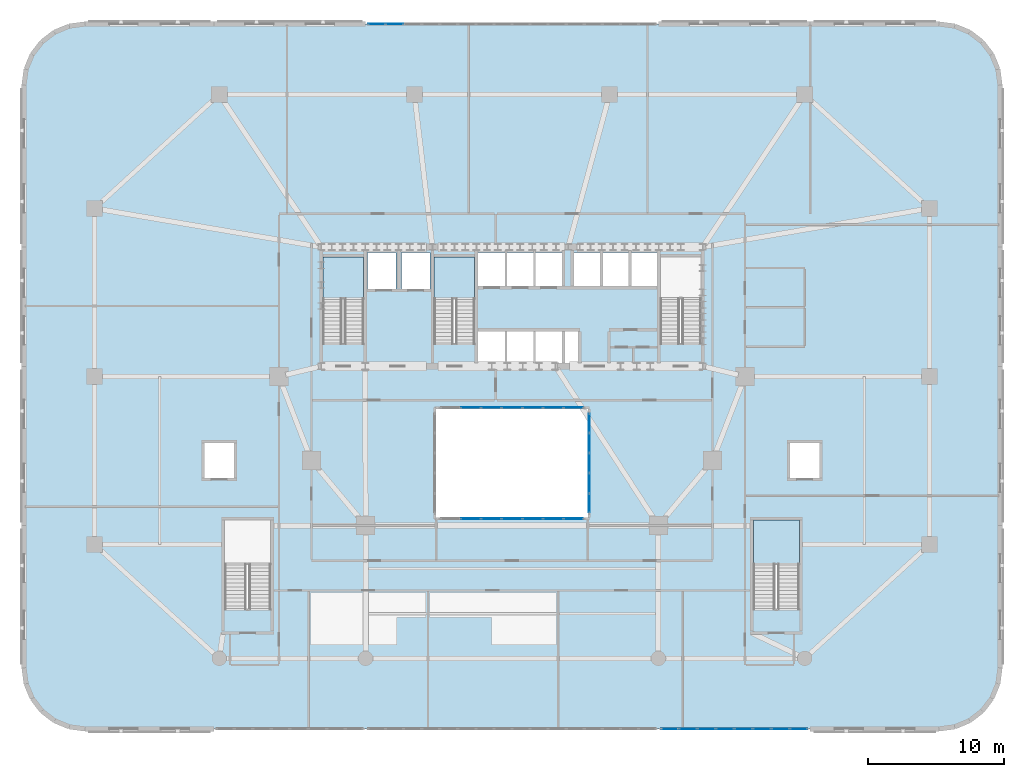
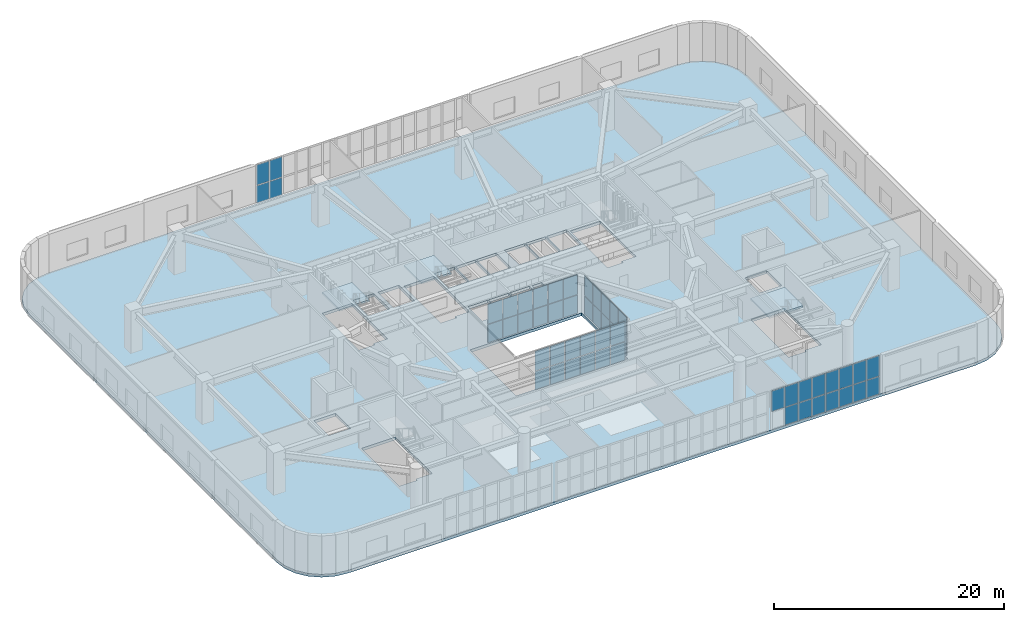
# One storey, part 12 of 25: 53 plates, 4 slabs, 8 elements without a shape of their own.
"""IFC4 building model written with IfcOpenShell, lengths in metres."""

from ifc_helpers import new_model, si_unit, direction, frame, origin, origin_2d, place, context, subcontext, project, spatial, polyline, rectangle, outline, extrude, material, layer, layer_set, type_object, element, aggregate, save


model = new_model("IFC4")

# Units and contexts
model_context = context("Model", 3, precision=1e-05, world=origin(), true_north=direction((0.0, 1.0)))
body_context = subcontext(model_context, "Body", "Model", "MODEL_VIEW")
ifc_project = project(units=[si_unit("LENGTHUNIT", "METRE"), si_unit("AREAUNIT", "SQUARE_METRE"), si_unit("VOLUMEUNIT", "CUBIC_METRE"), si_unit("PLANEANGLEUNIT", "RADIAN"), si_unit("MASSUNIT", "GRAM", prefix="KILO")], contexts=[model_context])

# Site, building, storey
site_placement = place(None, origin())
site = spatial("IfcSite", under=ifc_project, at=site_placement, CompositionType="ELEMENT")
building_placement = place(site_placement, origin())
building = spatial("IfcBuilding", under=site, at=building_placement, Name="Haldorwick Loom Tower", CompositionType="ELEMENT")
storey_placement = place(building_placement, frame((0.0, 0.0, 15.0)))
storey = spatial("IfcBuildingStorey", under=building, at=storey_placement, Name="L03", CompositionType="ELEMENT", Elevation=15.0)

# Curtain wall, plates
ifc_material_1 = material(Name="Thermally Broken Anodized Aluminium Curtain Wall Framing", Category="aluminium")
curtain_wall_type_1 = type_object("IfcCurtainWallType", Name="ARC-CW-02", PredefinedType="NOTDEFINED", material=ifc_material_1)
curtain_wall_1_placement = place(storey_placement, origin())
curtain_wall_1 = element("IfcCurtainWall", 1, at=curtain_wall_1_placement, inside=storey, type_object=curtain_wall_type_1, Name="L03 Facade Curtain Wall CW-02 Bay 19", PredefinedType="NOTDEFINED")
ifc_material_2 = material(Name="Triple-Glazed Low-E Argon Insulated Glazing Unit", Category="glass")
ifc_layer_1 = layer(ifc_material_2, 0.0400390625, Name="Triple-Glazed Low-E Argon Insulated Glazing Unit", Category="glass")
ifc_layer_set_1 = layer_set([ifc_layer_1], Name="Triple-Glazed Low-E Argon Insulated Glazing Unit")
plate_type_1 = type_object("IfcPlateType", Name="ARC-CWP-02", PredefinedType="CURTAIN_PANEL", material=ifc_layer_set_1)
plate_1_placement = place(storey_placement, frame((27.3388671875, 52.0, 0.06982421875), z_axis=(0.0, 0.0, 1.0), x_axis=(-1.0, 0.0, 0.0)))
plate_1 = element("IfcPlate", 2, at=plate_1_placement, type_object=plate_type_1, Name="CW-02 panel 15.1", PredefinedType="CURTAIN_PANEL", context=body_context, shape_type="SweptSolid", body=[
    extrude(rectangle(XDim=1.262451171875, YDim=0.0400390625, at=origin_2d()), origin(), (0.0, 0.0, 1.0), 1.844970703125),
])
plate_2_placement = place(storey_placement, frame((27.3388671875, 52.0, 1.985107421875), z_axis=(0.0, 0.0, 1.0), x_axis=(-1.0, 0.0, 0.0)))
plate_2 = element("IfcPlate", 3, at=plate_2_placement, type_object=plate_type_1, Name="CW-02 panel 15.2", PredefinedType="CURTAIN_PANEL", context=body_context, shape_type="SweptSolid", body=[
    extrude(rectangle(XDim=1.262451171875, YDim=0.0400390625, at=origin_2d()), origin(), (0.0, 0.0, 1.0), 2.14501953125),
])
plate_3_placement = place(storey_placement, frame((26.023681640625, 52.0, 0.06982421875), z_axis=(0.0, 0.0, 1.0), x_axis=(-1.0, 0.0, 0.0)))
plate_3 = element("IfcPlate", 4, at=plate_3_placement, type_object=plate_type_1, Name="CW-02 panel 16.1", PredefinedType="CURTAIN_PANEL", context=body_context, shape_type="SweptSolid", body=[
    extrude(rectangle(XDim=1.2275390625, YDim=0.0400390625, at=origin_2d()), origin(), (0.0, 0.0, 1.0), 1.844970703125),
])
plate_4_placement = place(storey_placement, frame((26.023681640625, 52.0, 1.985107421875), z_axis=(0.0, 0.0, 1.0), x_axis=(-1.0, 0.0, 0.0)))
plate_4 = element("IfcPlate", 5, at=plate_4_placement, type_object=plate_type_1, Name="CW-02 panel 16.2", PredefinedType="CURTAIN_PANEL", context=body_context, shape_type="SweptSolid", body=[
    extrude(rectangle(XDim=1.2275390625, YDim=0.0400390625, at=origin_2d()), origin(), (0.0, 0.0, 1.0), 2.14501953125),
])
aggregate(curtain_wall_1, [plate_1, plate_2, plate_3, plate_4])

curtain_wall_2_placement = place(storey_placement, origin())
curtain_wall_2 = element("IfcCurtainWall", 6, at=curtain_wall_2_placement, inside=storey, type_object=curtain_wall_type_1, Name="L03 Facade Curtain Wall CW-02 Bay 41", PredefinedType="NOTDEFINED")
plate_5_placement = place(storey_placement, frame((47.639892578125, 0.0, 1.985107421875), z_axis=(0.0, 0.0, 1.0), x_axis=(1.0, 0.0, 0.0)))
plate_5 = element("IfcPlate", 7, at=plate_5_placement, type_object=plate_type_1, Name="CW-02 panel 1.2", PredefinedType="CURTAIN_PANEL", context=body_context, shape_type="SweptSolid", body=[
    extrude(rectangle(XDim=1.260009765625, YDim=0.0400390625, at=origin_2d()), origin(), (0.0, 0.0, 1.0), 2.14501953125),
])
plate_6_placement = place(storey_placement, frame((48.987548828125, 0.0, 0.06982421875), z_axis=(0.0, 0.0, 1.0), x_axis=(1.0, 0.0, 0.0)))
plate_6 = element("IfcPlate", 8, at=plate_6_placement, type_object=plate_type_1, Name="CW-02 panel 2.1", PredefinedType="CURTAIN_PANEL", context=body_context, shape_type="SweptSolid", body=[
    extrude(rectangle(XDim=1.294921875, YDim=0.0400390625, at=origin_2d()), origin(), (0.0, 0.0, 1.0), 1.844970703125),
])
plate_7_placement = place(storey_placement, frame((48.987548828125, 0.0, 1.985107421875), z_axis=(0.0, 0.0, 1.0), x_axis=(1.0, 0.0, 0.0)))
plate_7 = element("IfcPlate", 9, at=plate_7_placement, type_object=plate_type_1, Name="CW-02 panel 2.2", PredefinedType="CURTAIN_PANEL", context=body_context, shape_type="SweptSolid", body=[
    extrude(rectangle(XDim=1.294921875, YDim=0.0400390625, at=origin_2d()), origin(), (0.0, 0.0, 1.0), 2.14501953125),
])
plate_8_placement = place(storey_placement, frame((50.3525390625, 0.0, 0.06982421875), z_axis=(0.0, 0.0, 1.0), x_axis=(1.0, 0.0, 0.0)))
plate_8 = element("IfcPlate", 10, at=plate_8_placement, type_object=plate_type_1, Name="CW-02 panel 3.1", PredefinedType="CURTAIN_PANEL", context=body_context, shape_type="SweptSolid", body=[
    extrude(rectangle(XDim=1.294921875, YDim=0.0400390625, at=origin_2d()), origin(), (0.0, 0.0, 1.0), 1.844970703125),
])
plate_9_placement = place(storey_placement, frame((50.3525390625, 0.0, 1.985107421875), z_axis=(0.0, 0.0, 1.0), x_axis=(1.0, 0.0, 0.0)))
plate_9 = element("IfcPlate", 11, at=plate_9_placement, type_object=plate_type_1, Name="CW-02 panel 3.2", PredefinedType="CURTAIN_PANEL", context=body_context, shape_type="SweptSolid", body=[
    extrude(rectangle(XDim=1.294921875, YDim=0.0400390625, at=origin_2d()), origin(), (0.0, 0.0, 1.0), 2.14501953125),
])
plate_10_placement = place(storey_placement, frame((51.717529296875, 0.0, 0.06982421875), z_axis=(0.0, 0.0, 1.0), x_axis=(1.0, 0.0, 0.0)))
plate_10 = element("IfcPlate", 12, at=plate_10_placement, type_object=plate_type_1, Name="CW-02 panel 4.1", PredefinedType="CURTAIN_PANEL", context=body_context, shape_type="SweptSolid", body=[
    extrude(rectangle(XDim=1.294921875, YDim=0.0400390625, at=origin_2d()), origin(), (0.0, 0.0, 1.0), 1.844970703125),
])
plate_11_placement = place(storey_placement, frame((51.717529296875, 0.0, 1.985107421875), z_axis=(0.0, 0.0, 1.0), x_axis=(1.0, 0.0, 0.0)))
plate_11 = element("IfcPlate", 13, at=plate_11_placement, type_object=plate_type_1, Name="CW-02 panel 4.2", PredefinedType="CURTAIN_PANEL", context=body_context, shape_type="SweptSolid", body=[
    extrude(rectangle(XDim=1.294921875, YDim=0.0400390625, at=origin_2d()), origin(), (0.0, 0.0, 1.0), 2.14501953125),
])
plate_12_placement = place(storey_placement, frame((53.08251953125, 0.0, 0.06982421875), z_axis=(0.0, 0.0, 1.0), x_axis=(1.0, 0.0, 0.0)))
plate_12 = element("IfcPlate", 14, at=plate_12_placement, type_object=plate_type_1, Name="CW-02 panel 5.1", PredefinedType="CURTAIN_PANEL", context=body_context, shape_type="SweptSolid", body=[
    extrude(rectangle(XDim=1.294921875, YDim=0.0400390625, at=origin_2d()), origin(), (0.0, 0.0, 1.0), 1.844970703125),
])
plate_13_placement = place(storey_placement, frame((53.08251953125, 0.0, 1.985107421875), z_axis=(0.0, 0.0, 1.0), x_axis=(1.0, 0.0, 0.0)))
plate_13 = element("IfcPlate", 15, at=plate_13_placement, type_object=plate_type_1, Name="CW-02 panel 5.2", PredefinedType="CURTAIN_PANEL", context=body_context, shape_type="SweptSolid", body=[
    extrude(rectangle(XDim=1.294921875, YDim=0.0400390625, at=origin_2d()), origin(), (0.0, 0.0, 1.0), 2.14501953125),
])
plate_14_placement = place(storey_placement, frame((54.447509765625, 0.0, 0.06982421875), z_axis=(0.0, 0.0, 1.0), x_axis=(1.0, 0.0, 0.0)))
plate_14 = element("IfcPlate", 16, at=plate_14_placement, type_object=plate_type_1, Name="CW-02 panel 6.1", PredefinedType="CURTAIN_PANEL", context=body_context, shape_type="SweptSolid", body=[
    extrude(rectangle(XDim=1.294921875, YDim=0.0400390625, at=origin_2d()), origin(), (0.0, 0.0, 1.0), 1.844970703125),
])
plate_15_placement = place(storey_placement, frame((54.447509765625, 0.0, 1.985107421875), z_axis=(0.0, 0.0, 1.0), x_axis=(1.0, 0.0, 0.0)))
plate_15 = element("IfcPlate", 17, at=plate_15_placement, type_object=plate_type_1, Name="CW-02 panel 6.2", PredefinedType="CURTAIN_PANEL", context=body_context, shape_type="SweptSolid", body=[
    extrude(rectangle(XDim=1.294921875, YDim=0.0400390625, at=origin_2d()), origin(), (0.0, 0.0, 1.0), 2.14501953125),
])
plate_16_placement = place(storey_placement, frame((55.8125, 0.0, 0.06982421875), z_axis=(0.0, 0.0, 1.0), x_axis=(1.0, 0.0, 0.0)))
plate_16 = element("IfcPlate", 18, at=plate_16_placement, type_object=plate_type_1, Name="CW-02 panel 7.1", PredefinedType="CURTAIN_PANEL", context=body_context, shape_type="SweptSolid", body=[
    extrude(rectangle(XDim=1.294921875, YDim=0.0400390625, at=origin_2d()), origin(), (0.0, 0.0, 1.0), 1.844970703125),
])
plate_17_placement = place(storey_placement, frame((55.8125, 0.0, 1.985107421875), z_axis=(0.0, 0.0, 1.0), x_axis=(1.0, 0.0, 0.0)))
plate_17 = element("IfcPlate", 19, at=plate_17_placement, type_object=plate_type_1, Name="CW-02 panel 7.2", PredefinedType="CURTAIN_PANEL", context=body_context, shape_type="SweptSolid", body=[
    extrude(rectangle(XDim=1.294921875, YDim=0.0400390625, at=origin_2d()), origin(), (0.0, 0.0, 1.0), 2.14501953125),
])
plate_18_placement = place(storey_placement, frame((57.159912109375, 0.0, 0.06982421875), z_axis=(0.0, 0.0, 1.0), x_axis=(1.0, 0.0, 0.0)))
plate_18 = element("IfcPlate", 20, at=plate_18_placement, type_object=plate_type_1, Name="CW-02 panel 8.1", PredefinedType="CURTAIN_PANEL", context=body_context, shape_type="SweptSolid", body=[
    extrude(rectangle(XDim=1.260009765625, YDim=0.0400390625, at=origin_2d()), origin(), (0.0, 0.0, 1.0), 1.844970703125),
])
plate_19_placement = place(storey_placement, frame((57.159912109375, 0.0, 1.985107421875), z_axis=(0.0, 0.0, 1.0), x_axis=(1.0, 0.0, 0.0)))
plate_19 = element("IfcPlate", 21, at=plate_19_placement, type_object=plate_type_1, Name="CW-02 panel 8.2", PredefinedType="CURTAIN_PANEL", context=body_context, shape_type="SweptSolid", body=[
    extrude(rectangle(XDim=1.260009765625, YDim=0.0400390625, at=origin_2d()), origin(), (0.0, 0.0, 1.0), 2.14501953125),
])
aggregate(curtain_wall_2, [plate_5, plate_6, plate_7, plate_8, plate_9, plate_10, plate_11, plate_12, plate_13, plate_14, plate_15, plate_16, plate_17, plate_18, plate_19])

curtain_wall_type_2 = type_object("IfcCurtainWallType", Name="ARC-CW-03", PredefinedType="NOTDEFINED", material=ifc_material_1)
curtain_wall_3_placement = place(storey_placement, origin())
curtain_wall_3 = element("IfcCurtainWall", 22, at=curtain_wall_3_placement, inside=storey, type_object=curtain_wall_type_2, Name="L03 Atrium Glazed Screen S", PredefinedType="NOTDEFINED")
ifc_layer_2 = layer(ifc_material_2, 0.04296875, Name="Triple-Glazed Low-E Argon Insulated Glazing Unit", Category="glass")
ifc_layer_set_2 = layer_set([ifc_layer_2], Name="Triple-Glazed Low-E Argon Insulated Glazing Unit")
plate_type_2 = type_object("IfcPlateType", Name="ARC-CWP-03", PredefinedType="CURTAIN_PANEL", material=ifc_layer_set_2)
plate_20_placement = place(storey_placement, frame((40.5263671875, 15.5, 0.066162109375), z_axis=(0.0, 0.0, 1.0), x_axis=(-1.0, 0.0, 0.0)))
plate_20 = element("IfcPlate", 23, at=plate_20_placement, type_object=plate_type_2, Name="CW-03 panel 1.1", PredefinedType="CURTAIN_PANEL", context=body_context, shape_type="SweptSolid", body=[
    extrude(rectangle(XDim=1.415283203125, YDim=0.04296875, at=origin_2d()), origin(), (0.0, 0.0, 1.0), 1.90087890625),
])
plate_21_placement = place(storey_placement, frame((40.5263671875, 15.5, 2.032958984375), z_axis=(0.0, 0.0, 1.0), x_axis=(-1.0, 0.0, 0.0)))
plate_21 = element("IfcPlate", 24, at=plate_21_placement, type_object=plate_type_2, Name="CW-03 panel 1.2", PredefinedType="CURTAIN_PANEL", context=body_context, shape_type="SweptSolid", body=[
    extrude(rectangle(XDim=1.415283203125, YDim=0.04296875, at=origin_2d()), origin(), (0.0, 0.0, 1.0), 2.10107421875),
])
plate_22_placement = place(storey_placement, frame((39.028564453125, 15.5, 0.066162109375), z_axis=(0.0, 0.0, 1.0), x_axis=(-1.0, 0.0, 0.0)))
plate_22 = element("IfcPlate", 25, at=plate_22_placement, type_object=plate_type_2, Name="CW-03 panel 2.1", PredefinedType="CURTAIN_PANEL", context=body_context, shape_type="SweptSolid", body=[
    extrude(rectangle(XDim=1.4482421875, YDim=0.04296875, at=origin_2d()), origin(), (0.0, 0.0, 1.0), 1.90087890625),
])
plate_23_placement = place(storey_placement, frame((39.028564453125, 15.5, 2.032958984375), z_axis=(0.0, 0.0, 1.0), x_axis=(-1.0, 0.0, 0.0)))
plate_23 = element("IfcPlate", 26, at=plate_23_placement, type_object=plate_type_2, Name="CW-03 panel 2.2", PredefinedType="CURTAIN_PANEL", context=body_context, shape_type="SweptSolid", body=[
    extrude(rectangle(XDim=1.4482421875, YDim=0.04296875, at=origin_2d()), origin(), (0.0, 0.0, 1.0), 2.10107421875),
])
plate_24_placement = place(storey_placement, frame((37.514404296875, 15.5, 0.066162109375), z_axis=(0.0, 0.0, 1.0), x_axis=(-1.0, 0.0, 0.0)))
plate_24 = element("IfcPlate", 27, at=plate_24_placement, type_object=plate_type_2, Name="CW-03 panel 3.1", PredefinedType="CURTAIN_PANEL", context=body_context, shape_type="SweptSolid", body=[
    extrude(rectangle(XDim=1.4482421875, YDim=0.04296875, at=origin_2d()), origin(), (0.0, 0.0, 1.0), 1.90087890625),
])
plate_25_placement = place(storey_placement, frame((37.514404296875, 15.5, 2.032958984375), z_axis=(0.0, 0.0, 1.0), x_axis=(-1.0, 0.0, 0.0)))
plate_25 = element("IfcPlate", 28, at=plate_25_placement, type_object=plate_type_2, Name="CW-03 panel 3.2", PredefinedType="CURTAIN_PANEL", context=body_context, shape_type="SweptSolid", body=[
    extrude(rectangle(XDim=1.4482421875, YDim=0.04296875, at=origin_2d()), origin(), (0.0, 0.0, 1.0), 2.10107421875),
])
plate_26_placement = place(storey_placement, frame((36.0, 15.5, 0.066162109375), z_axis=(0.0, 0.0, 1.0), x_axis=(-1.0, 0.0, 0.0)))
plate_26 = element("IfcPlate", 29, at=plate_26_placement, type_object=plate_type_2, Name="CW-03 panel 4.1", PredefinedType="CURTAIN_PANEL", context=body_context, shape_type="SweptSolid", body=[
    extrude(rectangle(XDim=1.4482421875, YDim=0.04296875, at=origin_2d()), origin(), (0.0, 0.0, 1.0), 1.90087890625),
])
plate_27_placement = place(storey_placement, frame((36.0, 15.5, 2.032958984375), z_axis=(0.0, 0.0, 1.0), x_axis=(-1.0, 0.0, 0.0)))
plate_27 = element("IfcPlate", 30, at=plate_27_placement, type_object=plate_type_2, Name="CW-03 panel 4.2", PredefinedType="CURTAIN_PANEL", context=body_context, shape_type="SweptSolid", body=[
    extrude(rectangle(XDim=1.4482421875, YDim=0.04296875, at=origin_2d()), origin(), (0.0, 0.0, 1.0), 2.10107421875),
])
plate_28_placement = place(storey_placement, frame((34.485595703125, 15.5, 0.066162109375), z_axis=(0.0, 0.0, 1.0), x_axis=(-1.0, 0.0, 0.0)))
plate_28 = element("IfcPlate", 31, at=plate_28_placement, type_object=plate_type_2, Name="CW-03 panel 5.1", PredefinedType="CURTAIN_PANEL", context=body_context, shape_type="SweptSolid", body=[
    extrude(rectangle(XDim=1.4482421875, YDim=0.04296875, at=origin_2d()), origin(), (0.0, 0.0, 1.0), 1.90087890625),
])
plate_29_placement = place(storey_placement, frame((34.485595703125, 15.5, 2.032958984375), z_axis=(0.0, 0.0, 1.0), x_axis=(-1.0, 0.0, 0.0)))
plate_29 = element("IfcPlate", 32, at=plate_29_placement, type_object=plate_type_2, Name="CW-03 panel 5.2", PredefinedType="CURTAIN_PANEL", context=body_context, shape_type="SweptSolid", body=[
    extrude(rectangle(XDim=1.4482421875, YDim=0.04296875, at=origin_2d()), origin(), (0.0, 0.0, 1.0), 2.10107421875),
])
plate_30_placement = place(storey_placement, frame((32.971435546875, 15.5, 0.066162109375), z_axis=(0.0, 0.0, 1.0), x_axis=(-1.0, 0.0, 0.0)))
plate_30 = element("IfcPlate", 33, at=plate_30_placement, type_object=plate_type_2, Name="CW-03 panel 6.1", PredefinedType="CURTAIN_PANEL", context=body_context, shape_type="SweptSolid", body=[
    extrude(rectangle(XDim=1.4482421875, YDim=0.04296875, at=origin_2d()), origin(), (0.0, 0.0, 1.0), 1.90087890625),
])
plate_31_placement = place(storey_placement, frame((32.971435546875, 15.5, 2.032958984375), z_axis=(0.0, 0.0, 1.0), x_axis=(-1.0, 0.0, 0.0)))
plate_31 = element("IfcPlate", 34, at=plate_31_placement, type_object=plate_type_2, Name="CW-03 panel 6.2", PredefinedType="CURTAIN_PANEL", context=body_context, shape_type="SweptSolid", body=[
    extrude(rectangle(XDim=1.4482421875, YDim=0.04296875, at=origin_2d()), origin(), (0.0, 0.0, 1.0), 2.10107421875),
])
aggregate(curtain_wall_3, [plate_20, plate_21, plate_22, plate_23, plate_24, plate_25, plate_26, plate_27, plate_28, plate_29, plate_30, plate_31])

curtain_wall_4_placement = place(storey_placement, origin())
curtain_wall_4 = element("IfcCurtainWall", 35, at=curtain_wall_4_placement, inside=storey, type_object=curtain_wall_type_2, Name="L03 Atrium Glazed Screen N", PredefinedType="NOTDEFINED")
plate_32_placement = place(storey_placement, frame((32.971435546875, 23.699951171875, 0.066162109375), z_axis=(0.0, 0.0, 1.0), x_axis=(1.0, 0.0, 0.0)))
plate_32 = element("IfcPlate", 36, at=plate_32_placement, type_object=plate_type_2, Name="CW-03 panel 2.1", PredefinedType="CURTAIN_PANEL", context=body_context, shape_type="SweptSolid", body=[
    extrude(rectangle(XDim=1.4482421875, YDim=0.04296875, at=origin_2d()), origin(), (0.0, 0.0, 1.0), 1.90087890625),
])
plate_33_placement = place(storey_placement, frame((32.971435546875, 23.699951171875, 2.032958984375), z_axis=(0.0, 0.0, 1.0), x_axis=(1.0, 0.0, 0.0)))
plate_33 = element("IfcPlate", 37, at=plate_33_placement, type_object=plate_type_2, Name="CW-03 panel 2.2", PredefinedType="CURTAIN_PANEL", context=body_context, shape_type="SweptSolid", body=[
    extrude(rectangle(XDim=1.4482421875, YDim=0.04296875, at=origin_2d()), origin(), (0.0, 0.0, 1.0), 2.10107421875),
])
plate_34_placement = place(storey_placement, frame((34.485595703125, 23.699951171875, 0.066162109375), z_axis=(0.0, 0.0, 1.0), x_axis=(1.0, 0.0, 0.0)))
plate_34 = element("IfcPlate", 38, at=plate_34_placement, type_object=plate_type_2, Name="CW-03 panel 3.1", PredefinedType="CURTAIN_PANEL", context=body_context, shape_type="SweptSolid", body=[
    extrude(rectangle(XDim=1.4482421875, YDim=0.04296875, at=origin_2d()), origin(), (0.0, 0.0, 1.0), 1.90087890625),
])
plate_35_placement = place(storey_placement, frame((34.485595703125, 23.699951171875, 2.032958984375), z_axis=(0.0, 0.0, 1.0), x_axis=(1.0, 0.0, 0.0)))
plate_35 = element("IfcPlate", 39, at=plate_35_placement, type_object=plate_type_2, Name="CW-03 panel 3.2", PredefinedType="CURTAIN_PANEL", context=body_context, shape_type="SweptSolid", body=[
    extrude(rectangle(XDim=1.4482421875, YDim=0.04296875, at=origin_2d()), origin(), (0.0, 0.0, 1.0), 2.10107421875),
])
plate_36_placement = place(storey_placement, frame((36.0, 23.699951171875, 0.066162109375), z_axis=(0.0, 0.0, 1.0), x_axis=(1.0, 0.0, 0.0)))
plate_36 = element("IfcPlate", 40, at=plate_36_placement, type_object=plate_type_2, Name="CW-03 panel 4.1", PredefinedType="CURTAIN_PANEL", context=body_context, shape_type="SweptSolid", body=[
    extrude(rectangle(XDim=1.4482421875, YDim=0.04296875, at=origin_2d()), origin(), (0.0, 0.0, 1.0), 1.90087890625),
])
plate_37_placement = place(storey_placement, frame((36.0, 23.699951171875, 2.032958984375), z_axis=(0.0, 0.0, 1.0), x_axis=(1.0, 0.0, 0.0)))
plate_37 = element("IfcPlate", 41, at=plate_37_placement, type_object=plate_type_2, Name="CW-03 panel 4.2", PredefinedType="CURTAIN_PANEL", context=body_context, shape_type="SweptSolid", body=[
    extrude(rectangle(XDim=1.4482421875, YDim=0.04296875, at=origin_2d()), origin(), (0.0, 0.0, 1.0), 2.10107421875),
])
plate_38_placement = place(storey_placement, frame((37.514404296875, 23.699951171875, 0.066162109375), z_axis=(0.0, 0.0, 1.0), x_axis=(1.0, 0.0, 0.0)))
plate_38 = element("IfcPlate", 42, at=plate_38_placement, type_object=plate_type_2, Name="CW-03 panel 5.1", PredefinedType="CURTAIN_PANEL", context=body_context, shape_type="SweptSolid", body=[
    extrude(rectangle(XDim=1.4482421875, YDim=0.04296875, at=origin_2d()), origin(), (0.0, 0.0, 1.0), 1.90087890625),
])
plate_39_placement = place(storey_placement, frame((37.514404296875, 23.699951171875, 2.032958984375), z_axis=(0.0, 0.0, 1.0), x_axis=(1.0, 0.0, 0.0)))
plate_39 = element("IfcPlate", 43, at=plate_39_placement, type_object=plate_type_2, Name="CW-03 panel 5.2", PredefinedType="CURTAIN_PANEL", context=body_context, shape_type="SweptSolid", body=[
    extrude(rectangle(XDim=1.4482421875, YDim=0.04296875, at=origin_2d()), origin(), (0.0, 0.0, 1.0), 2.10107421875),
])
plate_40_placement = place(storey_placement, frame((39.028564453125, 23.699951171875, 0.066162109375), z_axis=(0.0, 0.0, 1.0), x_axis=(1.0, 0.0, 0.0)))
plate_40 = element("IfcPlate", 44, at=plate_40_placement, type_object=plate_type_2, Name="CW-03 panel 6.1", PredefinedType="CURTAIN_PANEL", context=body_context, shape_type="SweptSolid", body=[
    extrude(rectangle(XDim=1.4482421875, YDim=0.04296875, at=origin_2d()), origin(), (0.0, 0.0, 1.0), 1.90087890625),
])
plate_41_placement = place(storey_placement, frame((39.028564453125, 23.699951171875, 2.032958984375), z_axis=(0.0, 0.0, 1.0), x_axis=(1.0, 0.0, 0.0)))
plate_41 = element("IfcPlate", 45, at=plate_41_placement, type_object=plate_type_2, Name="CW-03 panel 6.2", PredefinedType="CURTAIN_PANEL", context=body_context, shape_type="SweptSolid", body=[
    extrude(rectangle(XDim=1.4482421875, YDim=0.04296875, at=origin_2d()), origin(), (0.0, 0.0, 1.0), 2.10107421875),
])
plate_42_placement = place(storey_placement, frame((40.5263671875, 23.699951171875, 0.066162109375), z_axis=(0.0, 0.0, 1.0), x_axis=(1.0, 0.0, 0.0)))
plate_42 = element("IfcPlate", 46, at=plate_42_placement, type_object=plate_type_2, Name="CW-03 panel 7.1", PredefinedType="CURTAIN_PANEL", context=body_context, shape_type="SweptSolid", body=[
    extrude(rectangle(XDim=1.415283203125, YDim=0.04296875, at=origin_2d()), origin(), (0.0, 0.0, 1.0), 1.90087890625),
])
plate_43_placement = place(storey_placement, frame((40.5263671875, 23.699951171875, 2.032958984375), z_axis=(0.0, 0.0, 1.0), x_axis=(1.0, 0.0, 0.0)))
plate_43 = element("IfcPlate", 47, at=plate_43_placement, type_object=plate_type_2, Name="CW-03 panel 7.2", PredefinedType="CURTAIN_PANEL", context=body_context, shape_type="SweptSolid", body=[
    extrude(rectangle(XDim=1.415283203125, YDim=0.04296875, at=origin_2d()), origin(), (0.0, 0.0, 1.0), 2.10107421875),
])
aggregate(curtain_wall_4, [plate_32, plate_33, plate_34, plate_35, plate_36, plate_37, plate_38, plate_39, plate_40, plate_41, plate_42, plate_43])

curtain_wall_5_placement = place(storey_placement, origin())
curtain_wall_5 = element("IfcCurtainWall", 48, at=curtain_wall_5_placement, inside=storey, type_object=curtain_wall_type_2, Name="L03 Atrium Glazed Screen E", PredefinedType="NOTDEFINED")
plate_44_placement = place(storey_placement, frame((41.699951171875, 22.54345703125, 0.066162109375), z_axis=(0.0, 0.0, 1.0), x_axis=(0.0, -1.0, 0.0)))
plate_44 = element("IfcPlate", 49, at=plate_44_placement, type_object=plate_type_2, Name="CW-03 panel 1.1", PredefinedType="CURTAIN_PANEL", context=body_context, shape_type="SweptSolid", body=[
    extrude(rectangle(XDim=1.381103515625, YDim=0.04296875, at=origin_2d()), origin(), (0.0, 0.0, 1.0), 1.90087890625),
])
plate_45_placement = place(storey_placement, frame((41.699951171875, 22.54345703125, 2.032958984375), z_axis=(0.0, 0.0, 1.0), x_axis=(0.0, -1.0, 0.0)))
plate_45 = element("IfcPlate", 50, at=plate_45_placement, type_object=plate_type_2, Name="CW-03 panel 1.2", PredefinedType="CURTAIN_PANEL", context=body_context, shape_type="SweptSolid", body=[
    extrude(rectangle(XDim=1.381103515625, YDim=0.04296875, at=origin_2d()), origin(), (0.0, 0.0, 1.0), 2.10107421875),
])
plate_46_placement = place(storey_placement, frame((41.699951171875, 21.080078125, 0.066162109375), z_axis=(0.0, 0.0, 1.0), x_axis=(0.0, -1.0, 0.0)))
plate_46 = element("IfcPlate", 51, at=plate_46_placement, type_object=plate_type_2, Name="CW-03 panel 2.1", PredefinedType="CURTAIN_PANEL", context=body_context, shape_type="SweptSolid", body=[
    extrude(rectangle(XDim=1.4140625, YDim=0.04296875, at=origin_2d()), origin(), (0.0, 0.0, 1.0), 1.90087890625),
])
plate_47_placement = place(storey_placement, frame((41.699951171875, 21.080078125, 2.032958984375), z_axis=(0.0, 0.0, 1.0), x_axis=(0.0, -1.0, 0.0)))
plate_47 = element("IfcPlate", 52, at=plate_47_placement, type_object=plate_type_2, Name="CW-03 panel 2.2", PredefinedType="CURTAIN_PANEL", context=body_context, shape_type="SweptSolid", body=[
    extrude(rectangle(XDim=1.4140625, YDim=0.04296875, at=origin_2d()), origin(), (0.0, 0.0, 1.0), 2.10107421875),
])
plate_48_placement = place(storey_placement, frame((41.699951171875, 19.60009765625, 0.066162109375), z_axis=(0.0, 0.0, 1.0), x_axis=(0.0, -1.0, 0.0)))
plate_48 = element("IfcPlate", 53, at=plate_48_placement, type_object=plate_type_2, Name="CW-03 panel 3.1", PredefinedType="CURTAIN_PANEL", context=body_context, shape_type="SweptSolid", body=[
    extrude(rectangle(XDim=1.4140625, YDim=0.04296875, at=origin_2d()), origin(), (0.0, 0.0, 1.0), 1.90087890625),
])
plate_49_placement = place(storey_placement, frame((41.699951171875, 19.60009765625, 2.032958984375), z_axis=(0.0, 0.0, 1.0), x_axis=(0.0, -1.0, 0.0)))
plate_49 = element("IfcPlate", 54, at=plate_49_placement, type_object=plate_type_2, Name="CW-03 panel 3.2", PredefinedType="CURTAIN_PANEL", context=body_context, shape_type="SweptSolid", body=[
    extrude(rectangle(XDim=1.4140625, YDim=0.04296875, at=origin_2d()), origin(), (0.0, 0.0, 1.0), 2.10107421875),
])
plate_50_placement = place(storey_placement, frame((41.699951171875, 18.1201171875, 0.066162109375), z_axis=(0.0, 0.0, 1.0), x_axis=(0.0, -1.0, 0.0)))
plate_50 = element("IfcPlate", 55, at=plate_50_placement, type_object=plate_type_2, Name="CW-03 panel 4.1", PredefinedType="CURTAIN_PANEL", context=body_context, shape_type="SweptSolid", body=[
    extrude(rectangle(XDim=1.4140625, YDim=0.04296875, at=origin_2d()), origin(), (0.0, 0.0, 1.0), 1.90087890625),
])
plate_51_placement = place(storey_placement, frame((41.699951171875, 18.1201171875, 2.032958984375), z_axis=(0.0, 0.0, 1.0), x_axis=(0.0, -1.0, 0.0)))
plate_51 = element("IfcPlate", 56, at=plate_51_placement, type_object=plate_type_2, Name="CW-03 panel 4.2", PredefinedType="CURTAIN_PANEL", context=body_context, shape_type="SweptSolid", body=[
    extrude(rectangle(XDim=1.4140625, YDim=0.04296875, at=origin_2d()), origin(), (0.0, 0.0, 1.0), 2.10107421875),
])
plate_52_placement = place(storey_placement, frame((41.699951171875, 16.656494140625, 0.066162109375), z_axis=(0.0, 0.0, 1.0), x_axis=(0.0, -1.0, 0.0)))
plate_52 = element("IfcPlate", 57, at=plate_52_placement, type_object=plate_type_2, Name="CW-03 panel 5.1", PredefinedType="CURTAIN_PANEL", context=body_context, shape_type="SweptSolid", body=[
    extrude(rectangle(XDim=1.381103515625, YDim=0.04296875, at=origin_2d()), origin(), (0.0, 0.0, 1.0), 1.90087890625),
])
plate_53_placement = place(storey_placement, frame((41.699951171875, 16.656494140625, 2.032958984375), z_axis=(0.0, 0.0, 1.0), x_axis=(0.0, -1.0, 0.0)))
plate_53 = element("IfcPlate", 58, at=plate_53_placement, type_object=plate_type_2, Name="CW-03 panel 5.2", PredefinedType="CURTAIN_PANEL", context=body_context, shape_type="SweptSolid", body=[
    extrude(rectangle(XDim=1.381103515625, YDim=0.04296875, at=origin_2d()), origin(), (0.0, 0.0, 1.0), 2.10107421875),
])
aggregate(curtain_wall_5, [plate_44, plate_45, plate_46, plate_47, plate_48, plate_49, plate_50, plate_51, plate_52, plate_53])

# Slab
ifc_material_3 = material(Name="Concrete C40 (40 MPa)", Category="concrete")
ifc_layer_3 = layer(ifc_material_3, 0.300048828125, Name="Concrete C40 (40 MPa)", Category="concrete")
ifc_layer_set_3 = layer_set([ifc_layer_3], Name="Concrete C40 (40 MPa)")
slab_type_1 = type_object("IfcSlabType", Name="STR-SLB-CONC300", PredefinedType="FLOOR", material=ifc_layer_set_3)
slab_1_placement = place(storey_placement, frame((0.0, 0.0, -0.300048828125)))
element("IfcSlab", 59, at=slab_1_placement, inside=storey, type_object=slab_type_1, Name="L03 Structural Floor Slab", PredefinedType="FLOOR", context=body_context, shape_type="SweptSolid", body=[
    extrude(outline(polyline([(1.318115234375, 1.318115234375), (2.25, 0.602783203125), (3.335205078125, 0.1533203125), (4.5, 0.0), (67.5, 0.0), (68.664794921875, 0.1533203125), (69.75, 0.602783203125), (70.681884765625, 1.318115234375), (71.397216796875, 2.25), (71.8466796875, 3.335205078125), (72.0, 4.5), (72.0, 47.5), (71.8466796875, 48.664794921875), (71.397216796875, 49.75), (70.681884765625, 50.681884765625), (69.75, 51.397216796875), (68.664794921875, 51.8466796875), (67.5, 52.0), (4.5, 52.0), (3.335205078125, 51.8466796875), (2.25, 51.397216796875), (1.318115234375, 50.681884765625), (0.602783203125, 49.75), (0.1533203125, 48.664794921875), (0.0, 47.5), (0.0, 4.5), (0.1533203125, 3.335205078125), (0.602783203125, 2.25), (1.318115234375, 1.318115234375)]), holes=[polyline([(18.199951171875, 9.0400390625), (16.570068359375, 9.0400390625), (16.570068359375, 8.800048828125), (14.800048828125, 8.800048828125), (14.800048828125, 15.39990234375), (18.199951171875, 15.39990234375), (18.199951171875, 9.0400390625)]), polyline([(57.199951171875, 15.39990234375), (57.199951171875, 9.0400390625), (55.570068359375, 9.0400390625), (55.570068359375, 8.800048828125), (53.800048828125, 8.800048828125), (53.800048828125, 15.39990234375), (57.199951171875, 15.39990234375)]), polyline([(30.39990234375, 15.60009765625), (30.39990234375, 23.60009765625), (41.60009765625, 23.60009765625), (41.60009765625, 15.60009765625), (30.39990234375, 15.60009765625)]), polyline([(15.5, 18.5), (13.300048828125, 18.5), (13.300048828125, 21.10009765625), (15.5, 21.10009765625), (15.5, 18.5)]), polyline([(33.5, 26.85009765625), (33.5, 29.35009765625), (35.5, 29.35009765625), (35.5, 26.85009765625), (33.5, 26.85009765625)]), polyline([(22.050048828125, 28.39990234375), (22.050048828125, 34.800048828125), (25.050048828125, 34.800048828125), (25.050048828125, 28.639892578125), (23.6201171875, 28.639892578125), (23.6201171875, 28.39990234375), (22.050048828125, 28.39990234375)]), polyline([(31.820068359375, 28.39990234375), (30.25, 28.39990234375), (30.25, 34.800048828125), (33.25, 34.800048828125), (33.25, 28.639892578125), (31.820068359375, 28.639892578125), (31.820068359375, 28.39990234375)]), polyline([(27.449951171875, 32.449951171875), (25.35009765625, 32.449951171875), (25.35009765625, 35.14990234375), (27.449951171875, 35.14990234375), (27.449951171875, 32.449951171875)]), polyline([(29.949951171875, 32.449951171875), (27.85009765625, 32.449951171875), (27.85009765625, 35.14990234375), (29.949951171875, 35.14990234375), (29.949951171875, 32.449951171875)]), polyline([(33.5, 32.64990234375), (33.5, 35.14990234375), (35.5, 35.14990234375), (35.5, 32.64990234375), (33.5, 32.64990234375)]), polyline([(35.60009765625, 32.64990234375), (35.60009765625, 35.14990234375), (37.60009765625, 35.14990234375), (37.60009765625, 32.64990234375), (35.60009765625, 32.64990234375)]), polyline([(58.699951171875, 18.5), (56.5, 18.5), (56.5, 21.10009765625), (58.699951171875, 21.10009765625), (58.699951171875, 18.5)]), polyline([(37.60009765625, 26.85009765625), (35.60009765625, 26.85009765625), (35.60009765625, 29.35009765625), (37.60009765625, 29.35009765625), (37.60009765625, 26.85009765625)]), polyline([(37.699951171875, 26.85009765625), (37.699951171875, 29.35009765625), (39.699951171875, 29.35009765625), (39.699951171875, 26.85009765625), (37.699951171875, 26.85009765625)]), polyline([(39.89990234375, 26.89990234375), (39.89990234375, 29.300048828125), (40.89990234375, 29.300048828125), (40.89990234375, 26.89990234375), (39.89990234375, 26.89990234375)]), polyline([(48.52001953125, 28.39990234375), (46.949951171875, 28.39990234375), (46.949951171875, 34.800048828125), (49.949951171875, 34.800048828125), (49.949951171875, 28.639892578125), (48.52001953125, 28.639892578125), (48.52001953125, 28.39990234375)]), polyline([(39.699951171875, 32.64990234375), (37.699951171875, 32.64990234375), (37.699951171875, 35.14990234375), (39.699951171875, 35.14990234375), (39.699951171875, 32.64990234375)]), polyline([(42.550048828125, 32.64990234375), (40.550048828125, 32.64990234375), (40.550048828125, 35.14990234375), (42.550048828125, 35.14990234375), (42.550048828125, 32.64990234375)]), polyline([(42.64990234375, 32.64990234375), (42.64990234375, 35.14990234375), (44.64990234375, 35.14990234375), (44.64990234375, 32.64990234375), (42.64990234375, 32.64990234375)]), polyline([(44.75, 32.64990234375), (44.75, 35.14990234375), (46.75, 35.14990234375), (46.75, 32.64990234375), (44.75, 32.64990234375)])]), origin(), (0.0, 0.0, 1.0), 0.300048828125),
])

# Stair, slab
stair_type_1 = type_object("IfcStairType", Name="STR-STR-CORE", PredefinedType="HALF_TURN_STAIR", material=ifc_material_3)
stair_1_placement = place(storey_placement, origin())
stair_1 = element("IfcStair", 60, at=stair_1_placement, inside=storey, type_object=stair_type_1, Name="L03 Exit Stair ST-01", PredefinedType="HALF_TURN_STAIR")
ifc_layer_4 = layer(ifc_material_3, 0.199951171875, Name="Concrete C40 (40 MPa)", Category="concrete")
ifc_layer_set_4 = layer_set([ifc_layer_4], Name="Concrete C40 (40 MPa)")
slab_type_2 = type_object("IfcSlabType", Name="STR-SLB-LAND200", PredefinedType="LANDING", material=ifc_layer_set_4)
slab_2_placement = place(storey_placement, frame((0.0, 0.0, 2.050048828125)))
slab_2 = element("IfcSlab", 61, at=slab_2_placement, type_object=slab_type_2, Name="ST-01 landing 1", PredefinedType="LANDING", context=body_context, shape_type="SweptSolid", body=[
    extrude(outline(polyline([(25.050048828125, 31.760009765625), (25.050048828125, 34.800048828125), (22.050048828125, 34.800048828125), (22.050048828125, 31.760009765625), (25.050048828125, 31.760009765625)])), origin(), (0.0, 0.0, 1.0), 0.199951171875),
])
aggregate(stair_1, [slab_2])

stair_2_placement = place(storey_placement, origin())
stair_2 = element("IfcStair", 62, at=stair_2_placement, inside=storey, type_object=stair_type_1, Name="L03 Exit Stair ST-03", PredefinedType="HALF_TURN_STAIR")
slab_3_placement = place(storey_placement, frame((0.0, 0.0, 2.050048828125)))
slab_3 = element("IfcSlab", 63, at=slab_3_placement, type_object=slab_type_2, Name="ST-03 landing 1", PredefinedType="LANDING", context=body_context, shape_type="SweptSolid", body=[
    extrude(outline(polyline([(33.25, 31.760009765625), (33.25, 34.800048828125), (30.25, 34.800048828125), (30.25, 31.760009765625), (33.25, 31.760009765625)])), origin(), (0.0, 0.0, 1.0), 0.199951171875),
])
aggregate(stair_2, [slab_3])

stair_type_2 = type_object("IfcStairType", Name="STR-STR-POD", PredefinedType="HALF_TURN_STAIR", material=ifc_material_3)
stair_3_placement = place(storey_placement, origin())
stair_3 = element("IfcStair", 64, at=stair_3_placement, inside=storey, type_object=stair_type_2, Name="L03 Exit Stair ST-P2", PredefinedType="HALF_TURN_STAIR")
slab_4_placement = place(storey_placement, frame((0.0, 0.0, 2.050048828125)))
slab_4 = element("IfcSlab", 65, at=slab_4_placement, type_object=slab_type_2, Name="ST-P2 landing 1", PredefinedType="LANDING", context=body_context, shape_type="SweptSolid", body=[
    extrude(outline(polyline([(57.199951171875, 12.159912109375), (57.199951171875, 15.39990234375), (53.800048828125, 15.39990234375), (53.800048828125, 12.159912109375), (57.199951171875, 12.159912109375)])), origin(), (0.0, 0.0, 1.0), 0.199951171875),
])
aggregate(stair_3, [slab_4])

save(model, "model.ifc")
